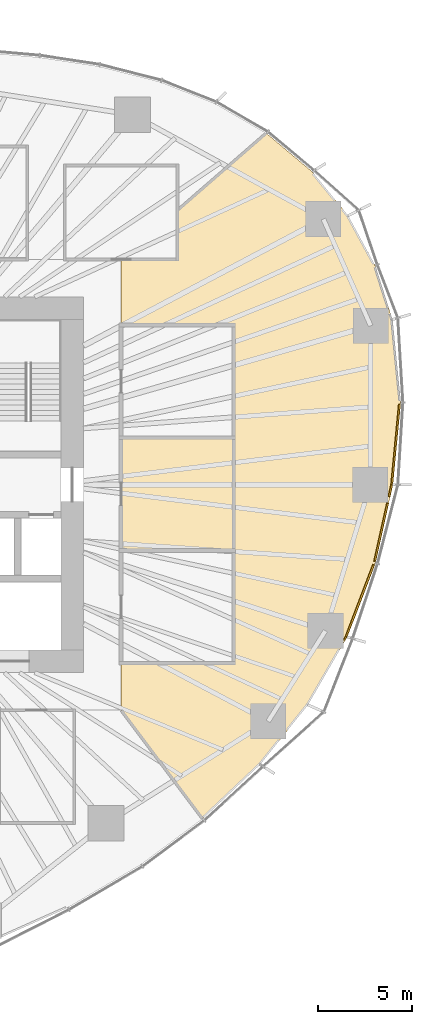
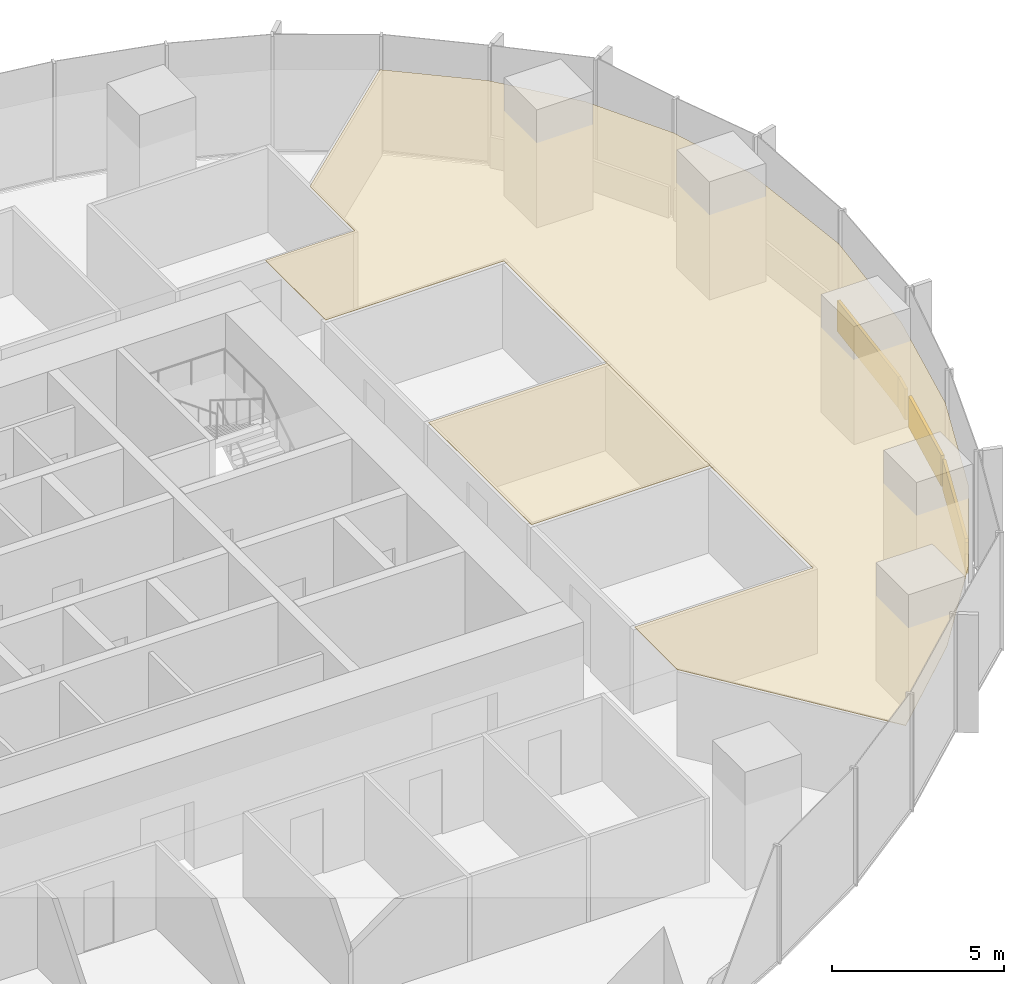
# One storey, part 19 of 20: 7 coverings.
"""IFC4 building model written with IfcOpenShell, lengths in metres."""

from ifc_helpers import new_model, si_unit, direction, frame, origin, origin_2d, place, context, subcontext, project, spatial, polyline, rectangle, outline, extrude, material, layer, layer_set, type_object, element, save


model = new_model("IFC4")

# Units and contexts
model_context = context("Model", 3, precision=1e-05, world=origin(), true_north=direction((0.0, 1.0)))
body_context = subcontext(model_context, "Body", "Model", "MODEL_VIEW")
ifc_project = project(units=[si_unit("LENGTHUNIT", "METRE"), si_unit("AREAUNIT", "SQUARE_METRE"), si_unit("VOLUMEUNIT", "CUBIC_METRE"), si_unit("PLANEANGLEUNIT", "RADIAN"), si_unit("MASSUNIT", "GRAM", prefix="KILO")], contexts=[model_context])

# Site, building, storey
site_placement = place(None, origin())
site = spatial("IfcSite", under=ifc_project, at=site_placement, CompositionType="ELEMENT")
building_placement = place(site_placement, origin())
building = spatial("IfcBuilding", under=site, at=building_placement, Name="Ghaith Harvest Tower", CompositionType="ELEMENT")
storey_placement = place(building_placement, frame((0.0, 0.0, 109.199951171875)))
storey = spatial("IfcBuildingStorey", under=building, at=storey_placement, Name="L22", CompositionType="ELEMENT", Elevation=109.199951171875)

# Coverings
ifc_material_1 = material(Name="Mineral fibre ceiling tile", Category="gypsum")
ifc_layer_1 = layer(ifc_material_1, 0.02001953125)
ifc_layer_set_1 = layer_set([ifc_layer_1], Name="CEILING C1")
covering_type_1 = type_object("IfcCoveringType", Name="CEILING C1", PredefinedType="CEILING", material=ifc_layer_set_1)
covering_1_placement = place(storey_placement, frame((0.0, 0.0, 3.0)))
element("IfcCovering", 1, at=covering_1_placement, inside=storey, type_object=covering_type_1, Name="Ceiling L22-11", PredefinedType="CEILING", context=body_context, shape_type="SweptSolid", body=[
    extrude(outline(polyline([(16.0, -3.5), (22.0, -3.5), (22.0, 2.5), (16.0, 2.5), (16.0, -3.5)])), origin(), (0.0, 0.0, 1.0), 0.02001953125),
])
covering_2_placement = place(storey_placement, frame((0.0, 0.0, 3.0)))
element("IfcCovering", 2, at=covering_2_placement, inside=storey, type_object=covering_type_1, Name="Ceiling L22-E1", PredefinedType="CEILING", context=body_context, shape_type="SweptSolid", body=[
    extrude(outline(polyline([(26.179443359375, 16.660888671875), (28.0888671875, 14.32568359375), (29.52294921875, 11.671875), (30.439208984375, 8.797607421875), (30.8798828125, 4.373046875), (30.458740234375, 0.0), (29.527099609375, -4.181396484375), (28.03125, -8.1015625), (25.94775390625, -11.714111328125), (23.400390625, -14.89208984375), (20.33935546875, -17.784912109375), (16.0, -12.0), (16.0, -9.5), (22.0, -9.5), (22.0, 8.5), (16.0, 8.5), (16.0, 12.0), (19.0, 12.0), (19.0, 14.60791015625), (23.7275390625, 18.718017578125), (26.179443359375, 16.660888671875)])), origin(), (0.0, 0.0, 1.0), 0.02001953125),
])
ifc_material_2 = material(Name="Insulated aluminium spandrel panel on steel framing", Category="steel")
ifc_layer_2 = layer(ifc_material_2, 0.10009765625)
ifc_layer_set_2 = layer_set([ifc_layer_2], Name="SLAB EDGE UPSTAND 1100x100")
covering_type_2 = type_object("IfcCoveringType", Name="SLAB EDGE UPSTAND 1100x100", PredefinedType="CLADDING", material=ifc_layer_set_2)
covering_3_placement = place(storey_placement, frame((30.61474609375, 2.1416015625, 0.0), z_axis=(0.0, 0.0, 1.0), x_axis=(0.095861332319, 0.99539469808, 0.0)))
element("IfcCovering", 3, at=covering_3_placement, inside=storey, type_object=covering_type_2, Name="Slab edge upstand 1 bay 01 L22", PredefinedType="CLADDING", context=body_context, shape_type="SweptSolid", body=[
    extrude(rectangle(XDim=4.293212890625, YDim=0.10009765625, at=origin_2d()), origin(), (0.0, 0.0, 1.0), 1.10009765625),
])
covering_4_placement = place(storey_placement, frame((27.9345703125, -8.169189453125, 0.0), z_axis=(0.0, 0.0, 1.0), x_axis=(0.499596169173, 0.866258430117, 0.0)))
element("IfcCovering", 4, at=covering_4_placement, inside=storey, type_object=covering_type_2, Name="Slab edge upstand 2 bay 19 L22", PredefinedType="CLADDING", context=body_context, shape_type="SweptSolid", body=[
    extrude(rectangle(XDim=0.21337890625, YDim=0.10009765625, at=origin_2d()), origin(), (0.0, 0.0, 1.0), 1.10009765625),
])
covering_5_placement = place(storey_placement, frame((28.714599609375, -6.17041015625, 0.0), z_axis=(0.0, 0.0, 1.0), x_axis=(0.356503850378, 0.934293853488, 0.0)))
element("IfcCovering", 5, at=covering_5_placement, inside=storey, type_object=covering_type_2, Name="Slab edge upstand 1 bay 20 L22", PredefinedType="CLADDING", context=body_context, shape_type="SweptSolid", body=[
    extrude(rectangle(XDim=4.095947265625, YDim=0.10009765625, at=origin_2d()), origin(), (0.0, 0.0, 1.0), 1.10009765625),
])
covering_6_placement = place(storey_placement, frame((29.845703125, -2.52197265625, 0.0), z_axis=(0.0, 0.0, 1.0), x_axis=(0.217466241983, 0.976067842723, 0.0)))
element("IfcCovering", 6, at=covering_6_placement, inside=storey, type_object=covering_type_2, Name="Slab edge upstand 2 bay 20 L22", PredefinedType="CLADDING", context=body_context, shape_type="SweptSolid", body=[
    extrude(rectangle(XDim=3.177978515625, YDim=0.10009765625, at=origin_2d()), origin(), (0.0, 0.0, 1.0), 1.10009765625),
])
covering_7_placement = place(storey_placement, frame((30.3388671875, -0.30810546875, 0.0), z_axis=(0.0, 0.0, 1.0), x_axis=(0.217466241983, 0.976067842723, 0.0)))
element("IfcCovering", 7, at=covering_7_placement, inside=storey, type_object=covering_type_2, Name="Slab edge upstand 2 bay 20 L22", PredefinedType="CLADDING", context=body_context, shape_type="SweptSolid", body=[
    extrude(rectangle(XDim=0.653564453125, YDim=0.10009765625, at=origin_2d()), origin(), (0.0, 0.0, 1.0), 1.10009765625),
])

save(model, "model.ifc")
